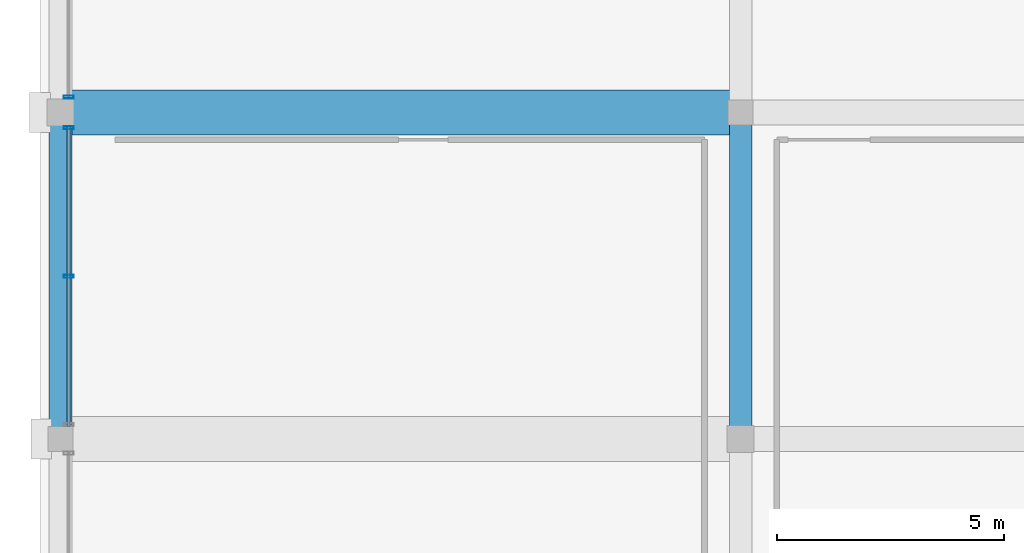
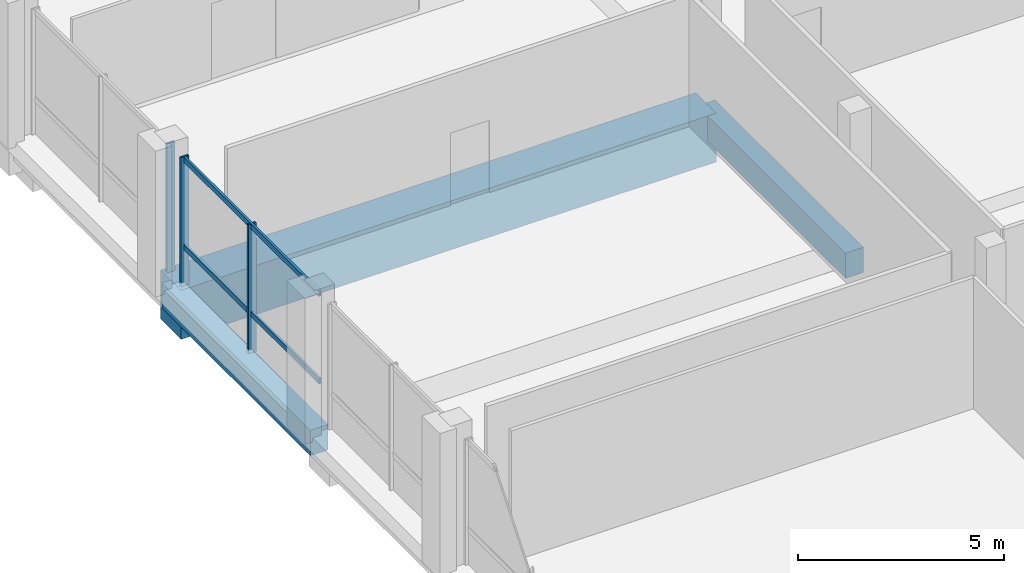
# One storey, part 22 of 68: 5 members, 3 beams, 2 elements without a shape of their own.
"""IFC4 building model written with IfcOpenShell, lengths in metres."""

from ifc_helpers import new_model, si_unit, direction, frame, origin, origin_2d, place, context, subcontext, project, spatial, rectangle, hollow_rectangle, extrude, material, material_profile, profile_set, type_object, element, aggregate, save


model = new_model("IFC4")

# Units and contexts
model_context = context("Model", 3, precision=1e-05, world=origin(), true_north=direction((0.0, 1.0)))
body_context = subcontext(model_context, "Body", "Model", "MODEL_VIEW")
ifc_project = project(units=[si_unit("LENGTHUNIT", "METRE"), si_unit("AREAUNIT", "SQUARE_METRE"), si_unit("VOLUMEUNIT", "CUBIC_METRE"), si_unit("PLANEANGLEUNIT", "RADIAN"), si_unit("MASSUNIT", "GRAM", prefix="KILO")], contexts=[model_context])

# Site, building, storey
site_placement = place(None, origin())
site = spatial("IfcSite", under=ifc_project, at=site_placement, CompositionType="ELEMENT")
building_placement = place(site_placement, origin())
building = spatial("IfcBuilding", under=site, at=building_placement, Name="Akrevak Sports Hall", CompositionType="ELEMENT")
storey_placement = place(building_placement, frame((0.0, 0.0, 9.39990234375)))
storey = spatial("IfcBuildingStorey", under=building, at=storey_placement, Name="L02", CompositionType="ELEMENT", Elevation=9.39990234375)

# Curtain wall, members
ifc_material_1 = material(Name="Anodized Bronze Aluminium & Low-E Glass", Category="aluminium")
curtain_wall_type = type_object("IfcCurtainWallType", Name="ARC-CW-POD-64x42", PredefinedType="NOTDEFINED", material=ifc_material_1)
curtain_wall_1_placement = place(storey_placement, origin())
curtain_wall_1 = element("IfcCurtainWall", 1, at=curtain_wall_1_placement, inside=storey, type_object=curtain_wall_type, Name="Curtain Wall CW-L02-W07", PredefinedType="NOTDEFINED")
ifc_material_2 = material(Name="Anodized Bronze Aluminium", Category="aluminium")
ifc_material_profile_1 = material_profile(ifc_material_2, hollow_rectangle(XDim=0.06494140625, YDim=0.219970703125, WallThickness=0.00439453125, at=origin_2d()), Name="CWM 65x220", Category="aluminium")
ifc_profile_set_1 = profile_set([ifc_material_profile_1], Name="Anodized Bronze Aluminium")
member_type_1 = type_object("IfcMemberType", Name="ARC-CWM-70x160", PredefinedType="MULLION", material=ifc_profile_set_1)
member_1_placement = place(storey_placement, frame((0.179931640625, 62.06005859375, 0.0), z_axis=(0.0, 0.0, 1.0), x_axis=(0.0, -1.0, 0.0)))
member_1 = element("IfcMember", 2, at=member_1_placement, type_object=member_type_1, Name="Curtain Wall Mullion CW-L02-W07-M1", PredefinedType="MULLION", context=body_context, shape_type="SweptSolid", body=[
    extrude(hollow_rectangle(XDim=0.06494140625, YDim=0.219970703125, WallThickness=0.00439453125, at=origin_2d()), origin(), (0.0, 0.0, 1.0), 3.820068359375),
])
member_2_placement = place(storey_placement, frame((0.179931640625, 58.78759765625, 0.0), z_axis=(0.0, 0.0, 1.0), x_axis=(0.0, -1.0, 0.0)))
member_2 = element("IfcMember", 3, at=member_2_placement, type_object=member_type_1, Name="Curtain Wall Mullion CW-L02-W07-M2", PredefinedType="MULLION", context=body_context, shape_type="SweptSolid", body=[
    extrude(hollow_rectangle(XDim=0.06494140625, YDim=0.219970703125, WallThickness=0.00439453125, at=origin_2d()), origin(), (0.0, 0.0, 1.0), 3.820068359375),
])

# Curtain wall, member
curtain_wall_2_placement = place(storey_placement, origin())
curtain_wall_2 = element("IfcCurtainWall", 4, at=curtain_wall_2_placement, inside=storey, type_object=curtain_wall_type, Name="Curtain Wall CW-L02-W08", PredefinedType="NOTDEFINED")
member_3_placement = place(storey_placement, frame((0.179931640625, 62.739990234375, 0.0), z_axis=(0.0, 0.0, 1.0), x_axis=(0.0, -1.0, 0.0)))
member_3 = element("IfcMember", 5, at=member_3_placement, type_object=member_type_1, Name="Curtain Wall Mullion CW-L02-W08-M3", PredefinedType="MULLION", context=body_context, shape_type="SweptSolid", body=[
    extrude(hollow_rectangle(XDim=0.06494140625, YDim=0.219970703125, WallThickness=0.00439453125, at=origin_2d()), origin(), (0.0, 0.0, 1.0), 3.820068359375),
])
aggregate(curtain_wall_2, [member_3])

# Member
ifc_material_profile_2 = material_profile(ifc_material_2, hollow_rectangle(XDim=0.06494140625, YDim=0.159912109375, WallThickness=0.00390625, at=origin_2d()), Name="CWT 65x160", Category="aluminium")
ifc_profile_set_2 = profile_set([ifc_material_profile_2], Name="Anodized Bronze Aluminium")
member_type_2 = type_object("IfcMemberType", Name="ARC-CWT-70x130", PredefinedType="USERDEFINED", material=ifc_profile_set_2)
member_4_placement = place(storey_placement, frame((0.179931640625, 62.10009765625, 1.150146484375), z_axis=(0.0, -1.0, 0.0), x_axis=(1.0, 0.0, 0.0)))
member_4 = element("IfcMember", 6, at=member_4_placement, type_object=member_type_2, Name="Curtain Wall Transom CW-L02-W07-T1", ObjectType="TRANSOM", PredefinedType="USERDEFINED", context=body_context, shape_type="SweptSolid", body=[
    extrude(hollow_rectangle(XDim=0.06494140625, YDim=0.159912109375, WallThickness=0.00390625, at=origin_2d()), origin(), (0.0, 0.0, 1.0), 6.625),
])

member_5_placement = place(storey_placement, frame((0.179931640625, 62.10009765625, 3.739990234375), z_axis=(0.0, -1.0, 0.0), x_axis=(1.0, 0.0, 0.0)))
member_5 = element("IfcMember", 7, at=member_5_placement, type_object=member_type_2, Name="Curtain Wall Transom CW-L02-W07-T2", ObjectType="TRANSOM", PredefinedType="USERDEFINED", context=body_context, shape_type="SweptSolid", body=[
    extrude(hollow_rectangle(XDim=0.06494140625, YDim=0.159912109375, WallThickness=0.00390625, at=origin_2d()), origin(), (0.0, 0.0, 1.0), 6.625),
])

aggregate(curtain_wall_1, [member_1, member_2, member_4, member_5])

# Beams
ifc_material_3 = material(Name="Concrete C50/60", Category="concrete")
ifc_material_profile_3 = material_profile(ifc_material_3, rectangle(XDim=1.0, YDim=1.449951171875, at=origin_2d()), Name="BM 1000x1450", Category="concrete")
ifc_profile_set_3 = profile_set([ifc_material_profile_3], Name="Concrete C50/60")
beam_type_1 = type_object("IfcBeamType", Name="STR-BM-LG1000x1450", PredefinedType="BEAM", material=ifc_profile_set_3)
beam_placement = place(storey_placement, frame((0.0, 62.39990234375, -0.724853515625), z_axis=(1.0, 0.0, 0.0), x_axis=(0.0, 1.0, 0.0)))
element("IfcBeam", 8, at=beam_placement, inside=storey, type_object=beam_type_1, Name="Girder J/1-3 (L02)", PredefinedType="BEAM", context=body_context, shape_type="SweptSolid", body=[
    extrude(rectangle(XDim=1.0, YDim=1.449951171875, at=origin_2d()), origin(), (0.0, 0.0, 1.0), 15.0),
])
ifc_material_4 = material(Name="Concrete C40/50", Category="concrete")
ifc_material_profile_4 = material_profile(ifc_material_4, rectangle(XDim=0.5, YDim=0.75, at=origin_2d()), Name="BM 500x750", Category="concrete")
ifc_profile_set_4 = profile_set([ifc_material_profile_4], Name="Concrete C40/50")
beam_type_2 = type_object("IfcBeamType", Name="STR-BM-RC500x750", PredefinedType="BEAM", material=ifc_profile_set_4)
for number, where, z_axis, x_axis, name in (
    (9, (0.0, 55.199951171875, -0.375), (0.0, 1.0, 0.0), (-1.0, 0.0, 0.0), "Girder 1/I-J (L02)"),
    (10, (15.0, 55.199951171875, -0.375), (0.0, 1.0, 0.0), (-1.0, 0.0, 0.0), "Girder 3/I-J (L02)"),
):
    element("IfcBeam", number, at=place(storey_placement, frame(where, z_axis=z_axis, x_axis=x_axis)), inside=storey, type_object=beam_type_2, Name=name, PredefinedType="BEAM", context=body_context, shape_type="SweptSolid", body=[
        extrude(rectangle(XDim=0.5, YDim=0.75, at=origin_2d()), origin(), (0.0, 0.0, 1.0), 7.199951171875),
    ])

save(model, "model.ifc")
